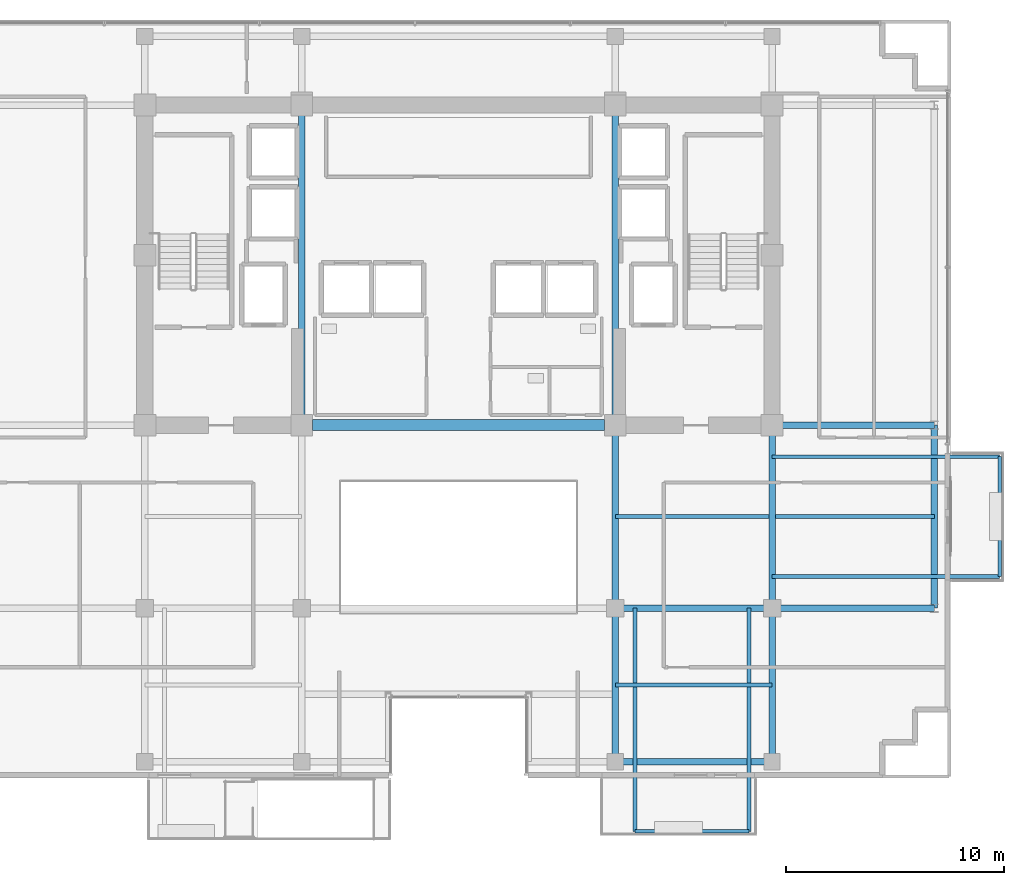
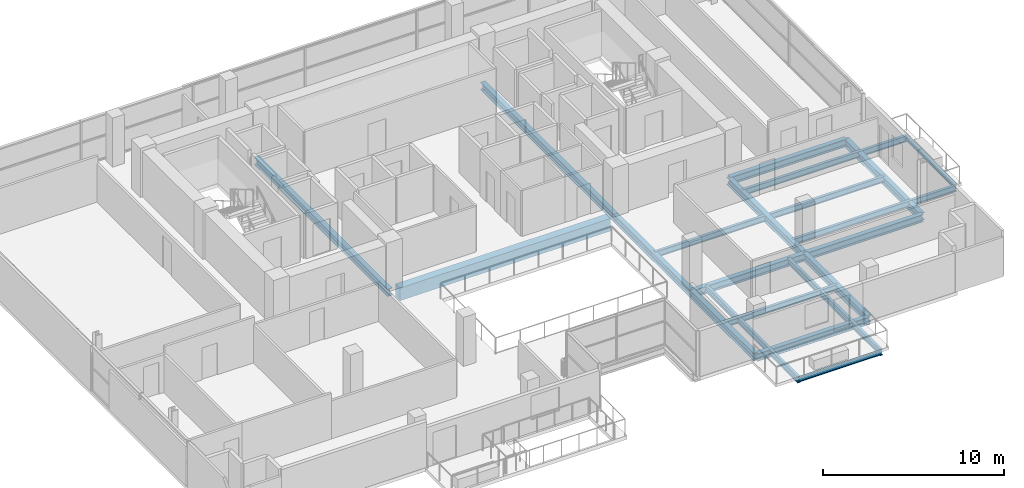
# One storey, part 10 of 23: 21 beams.
"""IFC4 building model written with IfcOpenShell, lengths in metres."""

from ifc_helpers import new_model, si_unit, direction, frame, origin, origin_2d, place, context, subcontext, project, spatial, rectangle, i_section, extrude, material, material_profile, profile_set, type_object, element, save


model = new_model("IFC4")

# Units and contexts
model_context = context("Model", 3, precision=1e-05, world=origin(), true_north=direction((0.0, 1.0)))
body_context = subcontext(model_context, "Body", "Model", "MODEL_VIEW")
ifc_project = project(units=[si_unit("LENGTHUNIT", "METRE"), si_unit("AREAUNIT", "SQUARE_METRE"), si_unit("VOLUMEUNIT", "CUBIC_METRE"), si_unit("PLANEANGLEUNIT", "RADIAN"), si_unit("MASSUNIT", "GRAM", prefix="KILO")], contexts=[model_context])

# Site, building, storey
site_placement = place(None, origin())
site = spatial("IfcSite", under=ifc_project, at=site_placement, CompositionType="ELEMENT")
building_placement = place(site_placement, origin())
building = spatial("IfcBuilding", under=site, at=building_placement, Name="Zarnakvel Exchange Tower", CompositionType="ELEMENT")
storey_placement = place(building_placement, frame((0.0, 0.0, 149.5)))
storey = spatial("IfcBuildingStorey", under=building, at=storey_placement, Name="L41", CompositionType="ELEMENT", Elevation=149.5)

# Beams
ifc_material_1 = material(Name="Steel S355", Category="steel")
ifc_material_profile_1 = material_profile(ifc_material_1, i_section(OverallWidth=0.179931640625, OverallDepth=0.39990234375, WebThickness=0.008544921875, FlangeThickness=0.013427734375, FilletRadius=0.02099609375, at=origin_2d()))
ifc_profile_set_1 = profile_set([ifc_material_profile_1], Name="Steel S355")
beam_type_1 = type_object("IfcBeamType", Name="B-06", PredefinedType="JOIST", material=ifc_profile_set_1)
beam_1_placement = place(storey_placement, frame((7.199951171875, -13.125, -0.425048828125), z_axis=(1.0, 0.0, 0.0), x_axis=(0.0, 1.0, 0.0)))
element("IfcBeam", 1, at=beam_1_placement, inside=storey, type_object=beam_type_1, Name="L41 Composite Floor Secondary Joist", PredefinedType="JOIST", context=body_context, shape_type="SweptSolid", body=[
    extrude(i_section(OverallWidth=0.179931640625, OverallDepth=0.39990234375, WebThickness=0.008544921875, FlangeThickness=0.013427734375, FilletRadius=0.02099609375, at=origin_2d()), origin(), (0.0, 0.0, 1.0), 7.199951171875),
])
beam_2_placement = place(storey_placement, frame((7.199951171875, -5.39990234375, -0.425048828125), z_axis=(1.0, 0.0, 0.0), x_axis=(0.0, 1.0, 0.0)))
element("IfcBeam", 2, at=beam_2_placement, inside=storey, type_object=beam_type_1, Name="L41 Composite Floor Secondary Joist", PredefinedType="JOIST", context=body_context, shape_type="SweptSolid", body=[
    extrude(i_section(OverallWidth=0.179931640625, OverallDepth=0.39990234375, WebThickness=0.008544921875, FlangeThickness=0.013427734375, FilletRadius=0.02099609375, at=origin_2d()), origin(), (0.0, 0.0, 1.0), 7.050048828125),
])
beam_3_placement = place(storey_placement, frame((14.550048828125, -5.39990234375, -0.425048828125), z_axis=(1.0, 0.0, 0.0), x_axis=(0.0, 1.0, 0.0)))
element("IfcBeam", 3, at=beam_3_placement, inside=storey, type_object=beam_type_1, Name="L41 Composite Floor Secondary Joist", PredefinedType="JOIST", context=body_context, shape_type="SweptSolid", body=[
    extrude(i_section(OverallWidth=0.179931640625, OverallDepth=0.39990234375, WebThickness=0.008544921875, FlangeThickness=0.013427734375, FilletRadius=0.02099609375, at=origin_2d()), origin(), (0.0, 0.0, 1.0), 7.300048828125),
])
for number, where, z_axis, x_axis, name in (
    (4, (8.10009765625, -9.60009765625, -0.425048828125), (0.0, -1.0, 0.0), (1.0, 0.0, 0.0), "L41 Continuous Back-Spanned Balcony Beam W"),
    (5, (13.35009765625, -9.60009765625, -0.425048828125), (0.0, -1.0, 0.0), (1.0, 0.0, 0.0), "L41 Continuous Back-Spanned Balcony Beam E"),
):
    element("IfcBeam", number, at=place(storey_placement, frame(where, z_axis=z_axis, x_axis=x_axis)), inside=storey, type_object=beam_type_1, Name=name, PredefinedType="JOIST", context=body_context, shape_type="SweptSolid", body=[
        extrude(i_section(OverallWidth=0.179931640625, OverallDepth=0.39990234375, WebThickness=0.008544921875, FlangeThickness=0.013427734375, FilletRadius=0.02099609375, at=origin_2d()), origin(), (0.0, 0.0, 1.0), 10.25),
    ])
for number, where, z_axis, x_axis, name in (
    (6, (14.39990234375, -8.14990234375, -0.425048828125), (1.0, 0.0, 0.0), (0.0, 1.0, 0.0), "L41 Continuous East Loggia Beam S"),
    (7, (14.39990234375, -2.64990234375, -0.425048828125), (1.0, 0.0, 0.0), (0.0, 1.0, 0.0), "L41 Continuous East Loggia Beam N"),
):
    element("IfcBeam", number, at=place(storey_placement, frame(where, z_axis=z_axis, x_axis=x_axis)), inside=storey, type_object=beam_type_1, Name=name, PredefinedType="JOIST", context=body_context, shape_type="SweptSolid", body=[
        extrude(i_section(OverallWidth=0.179931640625, OverallDepth=0.39990234375, WebThickness=0.008544921875, FlangeThickness=0.013427734375, FilletRadius=0.02099609375, at=origin_2d()), origin(), (0.0, 0.0, 1.0), 10.4501953125),
    ])
ifc_material_profile_2 = material_profile(ifc_material_1, i_section(OverallWidth=0.14990234375, OverallDepth=0.300048828125, WebThickness=0.007080078125, FlangeThickness=0.0107421875, FilletRadius=0.014892578125, at=origin_2d()))
ifc_profile_set_2 = profile_set([ifc_material_profile_2], Name="Steel S355")
beam_type_2 = type_object("IfcBeamType", Name="B-08", PredefinedType="JOIST", material=ifc_profile_set_2)
beam_4_placement = place(storey_placement, frame((8.10009765625, -19.85009765625, -0.375), z_axis=(1.0, 0.0, 0.0), x_axis=(0.0, 1.0, 0.0)))
element("IfcBeam", 8, at=beam_4_placement, inside=storey, type_object=beam_type_2, Name="L41 Balcony Edge Beam", PredefinedType="JOIST", context=body_context, shape_type="SweptSolid", body=[
    extrude(i_section(OverallWidth=0.14990234375, OverallDepth=0.300048828125, WebThickness=0.007080078125, FlangeThickness=0.0107421875, FilletRadius=0.014892578125, at=origin_2d()), origin(), (0.0, 0.0, 1.0), 5.25),
])
beam_5_placement = place(storey_placement, frame((24.85009765625, -8.14990234375, -0.375), z_axis=(0.0, 1.0, 0.0), x_axis=(-1.0, 0.0, 0.0)))
element("IfcBeam", 9, at=beam_5_placement, inside=storey, type_object=beam_type_2, Name="L41 East Loggia Edge Beam", PredefinedType="JOIST", context=body_context, shape_type="SweptSolid", body=[
    extrude(i_section(OverallWidth=0.14990234375, OverallDepth=0.300048828125, WebThickness=0.007080078125, FlangeThickness=0.0107421875, FilletRadius=0.014892578125, at=origin_2d()), origin(), (0.0, 0.0, 1.0), 5.5),
])
ifc_material_2 = material(Name="Concrete C60/75", Category="concrete")
ifc_material_profile_3 = material_profile(ifc_material_2, rectangle(XDim=0.5, YDim=0.85009765625, at=origin_2d()))
ifc_profile_set_3 = profile_set([ifc_material_profile_3], Name="Concrete C60/75")
beam_type_3 = type_object("IfcBeamType", Name="CB-02", PredefinedType="LINTEL", material=ifc_profile_set_3)
beam_6_placement = place(storey_placement, frame((-6.699951171875, -1.199951171875, -0.64990234375), z_axis=(1.0, 0.0, 0.0), x_axis=(0.0, 1.0, 0.0)))
element("IfcBeam", 10, at=beam_6_placement, inside=storey, type_object=beam_type_3, Name="L41 Rear Core South Coupling Beam (CB-02)", PredefinedType="LINTEL", context=body_context, shape_type="SweptSolid", body=[
    extrude(rectangle(XDim=0.5, YDim=0.85009765625, at=origin_2d()), origin(), (0.0, 0.0, 1.0), 13.39990234375),
])
ifc_material_profile_4 = material_profile(ifc_material_1, i_section(OverallWidth=0.300048828125, OverallDepth=0.5, WebThickness=0.014404296875, FlangeThickness=0.028076171875, FilletRadius=0.027099609375, at=origin_2d()))
ifc_profile_set_4 = profile_set([ifc_material_profile_4], Name="Steel S355")
beam_type_4 = type_object("IfcBeamType", Name="G-06", PredefinedType="BEAM", material=ifc_profile_set_4)
beam_7_placement = place(storey_placement, frame((7.199951171875, -9.60009765625, -0.47509765625), z_axis=(1.0, 0.0, 0.0), x_axis=(0.0, 1.0, 0.0)))
element("IfcBeam", 11, at=beam_7_placement, inside=storey, type_object=beam_type_4, Name="L41 Tower E-W Frame Beam", PredefinedType="BEAM", context=body_context, shape_type="SweptSolid", body=[
    extrude(i_section(OverallWidth=0.300048828125, OverallDepth=0.5, WebThickness=0.014404296875, FlangeThickness=0.028076171875, FilletRadius=0.027099609375, at=origin_2d()), origin(), (0.0, 0.0, 1.0), 7.199951171875),
])
for number, where, z_axis, x_axis, name in (
    (12, (14.39990234375, -9.60009765625, -0.47509765625), (1.0, 0.0, 0.0), (0.0, 1.0, 0.0), "L41 Tower E-W Frame Beam"),
    (13, (14.39990234375, -1.199951171875, -0.47509765625), (1.0, 0.0, 0.0), (0.0, 1.0, 0.0), "L41 Tower E-W Frame Beam"),
):
    element("IfcBeam", number, at=place(storey_placement, frame(where, z_axis=z_axis, x_axis=x_axis)), inside=storey, type_object=beam_type_4, Name=name, PredefinedType="BEAM", context=body_context, shape_type="SweptSolid", body=[
        extrude(i_section(OverallWidth=0.300048828125, OverallDepth=0.5, WebThickness=0.014404296875, FlangeThickness=0.028076171875, FilletRadius=0.027099609375, at=origin_2d()), origin(), (0.0, 0.0, 1.0), 7.4501953125),
    ])
beam_8_placement = place(storey_placement, frame((-7.199951171875, -1.199951171875, -0.47509765625), z_axis=(0.0, 1.0, 0.0), x_axis=(-1.0, 0.0, 0.0)))
element("IfcBeam", 14, at=beam_8_placement, inside=storey, type_object=beam_type_4, Name="L41 Tower N-S Frame Beam", PredefinedType="BEAM", context=body_context, shape_type="SweptSolid", body=[
    extrude(i_section(OverallWidth=0.300048828125, OverallDepth=0.5, WebThickness=0.014404296875, FlangeThickness=0.028076171875, FilletRadius=0.027099609375, at=origin_2d()), origin(), (0.0, 0.0, 1.0), 14.699951171875),
])
beam_9_placement = place(storey_placement, frame((7.199951171875, -16.64990234375, -0.47509765625), z_axis=(0.0, 1.0, 0.0), x_axis=(-1.0, 0.0, 0.0)))
element("IfcBeam", 15, at=beam_9_placement, inside=storey, type_object=beam_type_4, Name="L41 Tower N-S Frame Beam", PredefinedType="BEAM", context=body_context, shape_type="SweptSolid", body=[
    extrude(i_section(OverallWidth=0.300048828125, OverallDepth=0.5, WebThickness=0.014404296875, FlangeThickness=0.028076171875, FilletRadius=0.027099609375, at=origin_2d()), origin(), (0.0, 0.0, 1.0), 7.0498046875),
])
beam_10_placement = place(storey_placement, frame((7.199951171875, -9.60009765625, -0.47509765625), z_axis=(0.0, 1.0, 0.0), x_axis=(-1.0, 0.0, 0.0)))
element("IfcBeam", 16, at=beam_10_placement, inside=storey, type_object=beam_type_4, Name="L41 Tower N-S Frame Beam", PredefinedType="BEAM", context=body_context, shape_type="SweptSolid", body=[
    extrude(i_section(OverallWidth=0.300048828125, OverallDepth=0.5, WebThickness=0.014404296875, FlangeThickness=0.028076171875, FilletRadius=0.027099609375, at=origin_2d()), origin(), (0.0, 0.0, 1.0), 8.400146484375),
])
beam_11_placement = place(storey_placement, frame((7.199951171875, -1.199951171875, -0.47509765625), z_axis=(0.0, 1.0, 0.0), x_axis=(-1.0, 0.0, 0.0)))
element("IfcBeam", 17, at=beam_11_placement, inside=storey, type_object=beam_type_4, Name="L41 Tower N-S Frame Beam", PredefinedType="BEAM", context=body_context, shape_type="SweptSolid", body=[
    extrude(i_section(OverallWidth=0.300048828125, OverallDepth=0.5, WebThickness=0.014404296875, FlangeThickness=0.028076171875, FilletRadius=0.027099609375, at=origin_2d()), origin(), (0.0, 0.0, 1.0), 14.699951171875),
])
beam_12_placement = place(storey_placement, frame((14.39990234375, -16.64990234375, -0.47509765625), z_axis=(0.0, 1.0, 0.0), x_axis=(-1.0, 0.0, 0.0)))
element("IfcBeam", 18, at=beam_12_placement, inside=storey, type_object=beam_type_4, Name="L41 Tower N-S Frame Beam", PredefinedType="BEAM", context=body_context, shape_type="SweptSolid", body=[
    extrude(i_section(OverallWidth=0.300048828125, OverallDepth=0.5, WebThickness=0.014404296875, FlangeThickness=0.028076171875, FilletRadius=0.027099609375, at=origin_2d()), origin(), (0.0, 0.0, 1.0), 7.0498046875),
])
beam_13_placement = place(storey_placement, frame((14.39990234375, -9.60009765625, -0.47509765625), z_axis=(0.0, 1.0, 0.0), x_axis=(-1.0, 0.0, 0.0)))
element("IfcBeam", 19, at=beam_13_placement, inside=storey, type_object=beam_type_4, Name="L41 Tower N-S Frame Beam", PredefinedType="BEAM", context=body_context, shape_type="SweptSolid", body=[
    extrude(i_section(OverallWidth=0.300048828125, OverallDepth=0.5, WebThickness=0.014404296875, FlangeThickness=0.028076171875, FilletRadius=0.027099609375, at=origin_2d()), origin(), (0.0, 0.0, 1.0), 8.400146484375),
])
ifc_material_profile_5 = material_profile(ifc_material_1, i_section(OverallWidth=0.300048828125, OverallDepth=0.5, WebThickness=0.014404296875, FlangeThickness=0.028076171875, FilletRadius=0.027099609375, at=origin_2d()))
ifc_profile_set_5 = profile_set([ifc_material_profile_5], Name="Steel S355")
beam_type_5 = type_object("IfcBeamType", Name="SP-02", PredefinedType="SPANDREL", material=ifc_profile_set_5)
beam_14_placement = place(storey_placement, frame((7.199951171875, -16.64990234375, -0.47509765625), z_axis=(1.0, 0.0, 0.0), x_axis=(0.0, 1.0, 0.0)))
element("IfcBeam", 20, at=beam_14_placement, inside=storey, type_object=beam_type_5, Name="L41 Tower E-W Frame Beam", PredefinedType="SPANDREL", context=body_context, shape_type="SweptSolid", body=[
    extrude(i_section(OverallWidth=0.300048828125, OverallDepth=0.5, WebThickness=0.014404296875, FlangeThickness=0.028076171875, FilletRadius=0.027099609375, at=origin_2d()), origin(), (0.0, 0.0, 1.0), 7.199951171875),
])
beam_15_placement = place(storey_placement, frame((21.85009765625, -9.60009765625, -0.47509765625), z_axis=(0.0, 1.0, 0.0), x_axis=(-1.0, 0.0, 0.0)))
element("IfcBeam", 21, at=beam_15_placement, inside=storey, type_object=beam_type_5, Name="L41 Tower N-S Frame Beam", PredefinedType="SPANDREL", context=body_context, shape_type="SweptSolid", body=[
    extrude(i_section(OverallWidth=0.300048828125, OverallDepth=0.5, WebThickness=0.014404296875, FlangeThickness=0.028076171875, FilletRadius=0.027099609375, at=origin_2d()), origin(), (0.0, 0.0, 1.0), 8.400146484375),
])

save(model, "model.ifc")
